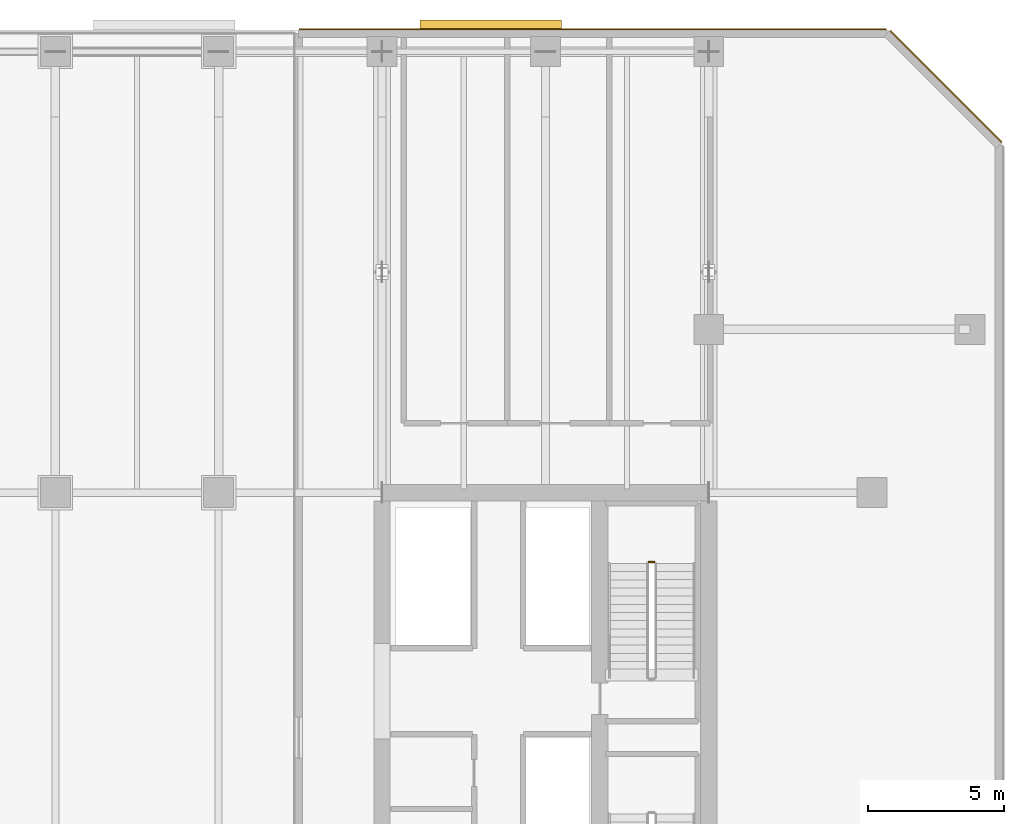
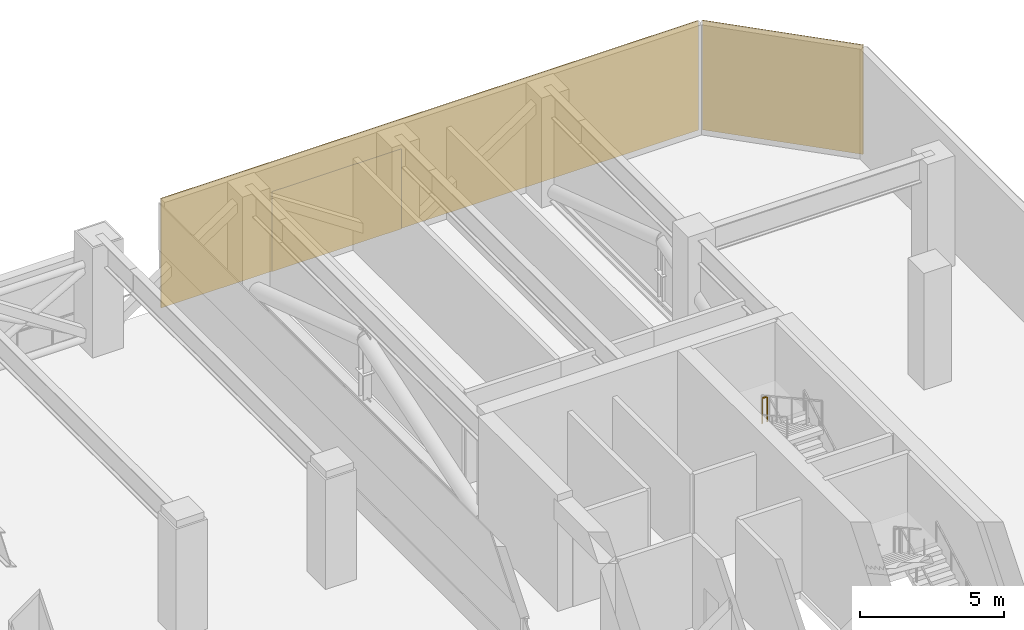
# One storey, part 22 of 22: 2 coverings, 1 railing, 1 shading device.
"""IFC4 building model written with IfcOpenShell, lengths in metres."""

from ifc_helpers import new_model, si_unit, direction, frame, origin, origin_2d, place, context, subcontext, project, spatial, rectangle, extrude, material, layer, layer_set, type_object, element, save


model = new_model("IFC4")

# Units and contexts
model_context = context("Model", 3, precision=1e-05, world=origin(), true_north=direction((0.0, 1.0)))
body_context = subcontext(model_context, "Body", "Model", "MODEL_VIEW")
ifc_project = project(units=[si_unit("LENGTHUNIT", "METRE"), si_unit("AREAUNIT", "SQUARE_METRE"), si_unit("VOLUMEUNIT", "CUBIC_METRE"), si_unit("PLANEANGLEUNIT", "RADIAN"), si_unit("MASSUNIT", "GRAM", prefix="KILO")], contexts=[model_context])

# Site, building, storey
site_placement = place(None, origin())
site = spatial("IfcSite", under=ifc_project, at=site_placement, CompositionType="ELEMENT")
building_placement = place(site_placement, origin())
building = spatial("IfcBuilding", under=site, at=building_placement, Name="Tanjung Sevakor Pilgrim Tower", CompositionType="ELEMENT")
storey_placement = place(building_placement, frame((0.0, 0.0, 73.260009765625)))
storey = spatial("IfcBuildingStorey", under=building, at=storey_placement, Name="L20", CompositionType="ELEMENT", Elevation=73.260009765625)

# Coverings
ifc_material_1 = material(Name="Reconstructed Limestone Cladding", Category="masonry")
ifc_layer = layer(ifc_material_1, 0.044921875)
ifc_layer_set = layer_set([ifc_layer], Name="COV-CLAD-LIMESTONE")
covering_type = type_object("IfcCoveringType", Name="COV-CLAD-LIMESTONE", PredefinedType="CLADDING", material=ifc_layer_set)
covering_1_placement = place(storey_placement, frame((98.7158203125, 57.515869140625, 0.02001953125), z_axis=(0.0, 0.0, 1.0), x_axis=(-0.707106781187, 0.707106781187, 0.0)))
element("IfcCovering", 1, at=covering_1_placement, inside=storey, type_object=covering_type, Name="L20 Warm Limestone Wall Cladding EW-RFE-L20-4", PredefinedType="CLADDING", context=body_context, shape_type="SweptSolid", body=[
    extrude(rectangle(XDim=5.78369140625, YDim=0.044921875, at=origin_2d()), origin(), (0.0, 0.0, 1.0), 4.6298828125),
])
covering_2_placement = place(storey_placement, frame((85.740966796875, 59.62255859375, 0.02001953125), z_axis=(0.0, 0.0, 1.0), x_axis=(-1.0, 0.0, 0.0)))
element("IfcCovering", 2, at=covering_2_placement, inside=storey, type_object=covering_type, Name="L20 Warm Limestone Wall Cladding EW-RFE-L20-5", PredefinedType="CLADDING", context=body_context, shape_type="SweptSolid", body=[
    extrude(rectangle(XDim=21.56201171875, YDim=0.044921875, at=origin_2d()), origin(), (0.0, 0.0, 1.0), 4.6298828125),
])

# Railing
ifc_material_2 = material(Name="Steel S355J2", Category="steel")
railing_type = type_object("IfcRailingType", Name="RL-STAIR-GUARD", PredefinedType="GUARDRAIL", material=ifc_material_2)
railing_placement = place(storey_placement, frame((88.0, 40.050048828125, 2.47509765625)))
element("IfcRailing", 3, at=railing_placement, inside=storey, type_object=railing_type, Name="L20 TS-E2 stair guard 2", PredefinedType="GUARDRAIL", context=body_context, shape_type="SweptSolid", body=[
    extrude(rectangle(XDim=0.0479, YDim=0.0479), frame((0.0, 0.0, 1.076171875), z_axis=(-1.0, 0.0, 0.0), x_axis=(0.0, -1.0, 0.0)), (0.0, 0.0, 1.0), 0.199951171875),
    extrude(rectangle(XDim=0.042, YDim=0.042), origin(), (0.0, 0.0, 1.0), 1.052001953125),
    extrude(rectangle(XDim=0.042, YDim=0.042), frame((-0.199951171875, 0.0, 0.0)), (0.0, 0.0, 1.0), 1.052001953125),
])

# Shading device
ifc_material_3 = material(Name="Anodised Bronze Aluminium 6063-T6", Category="aluminium")
shading_device_type = type_object("IfcShadingDeviceType", Name="SHD-LOUVRE-SLOT", PredefinedType="USERDEFINED", material=ifc_material_3)
shading_device_placement = place(storey_placement, frame((82.0, 59.780029296875, 0.0), z_axis=(0.0, 0.0, 1.0), x_axis=(1.0, 0.0, 0.0)))
element("IfcShadingDevice", 4, at=shading_device_placement, inside=storey, type_object=shading_device_type, Name="L20 Plant Wing Acoustic Louvre N-04", ObjectType="LOUVRE", PredefinedType="USERDEFINED", context=body_context, shape_type="SweptSolid", body=[
    extrude(rectangle(XDim=5.199951171875, YDim=0.360107421875, at=origin_2d()), origin(), (0.0, 0.0, 1.0), 3.39990234375),
])

save(model, "model.ifc")
